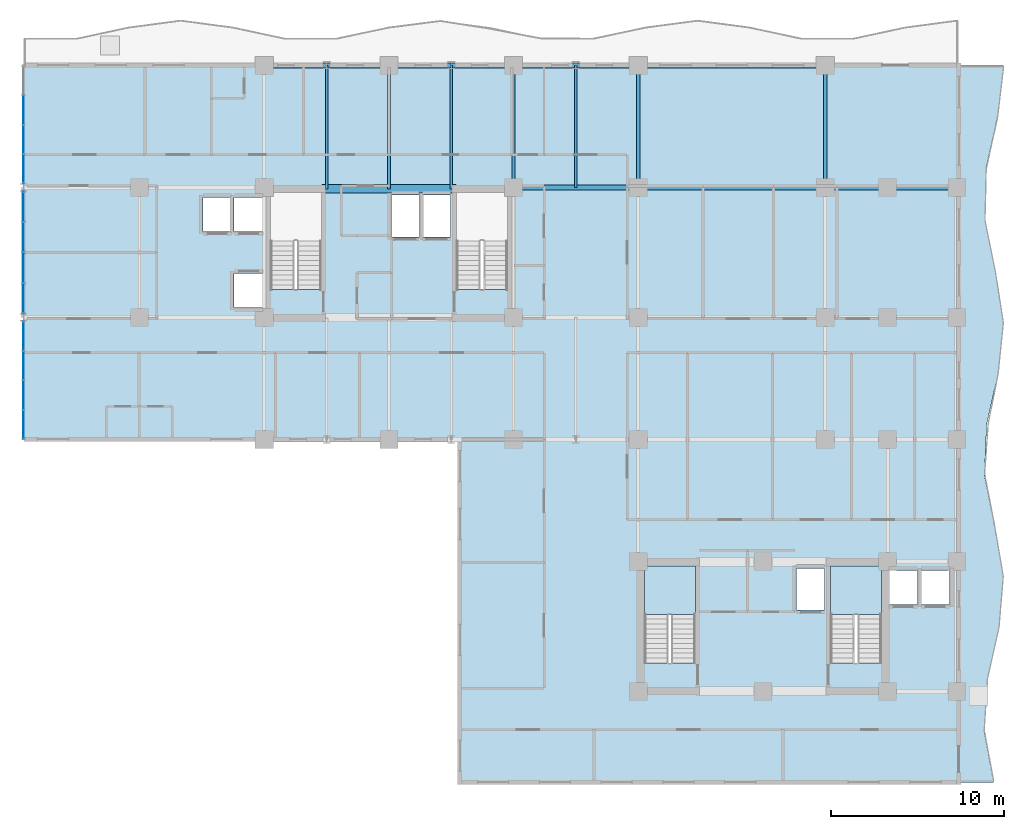
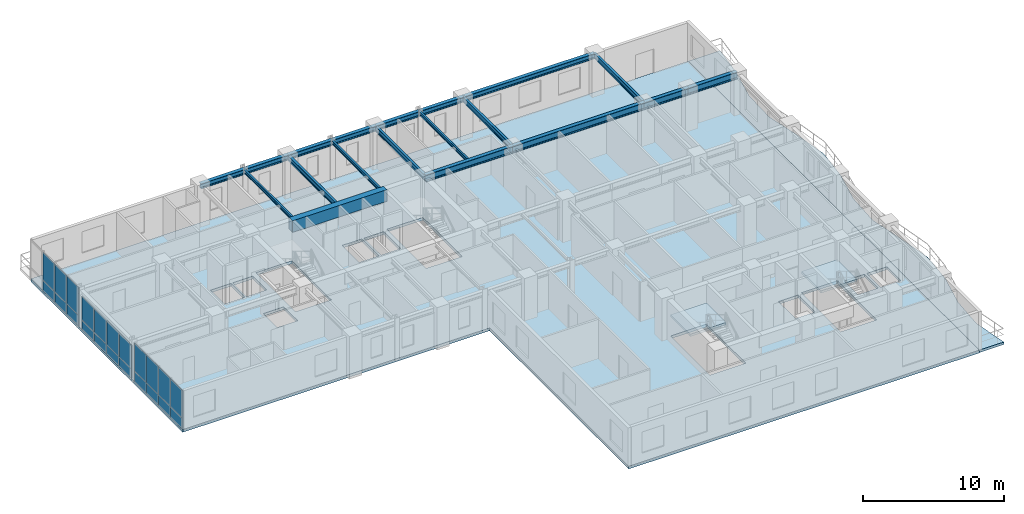
# One storey, part 9 of 19: 22 plates, 19 beams, 4 slabs, 5 elements without a shape of their own.
"""IFC4 building model written with IfcOpenShell, lengths in metres."""

from ifc_helpers import new_model, si_unit, direction, frame, origin, origin_2d, place, context, subcontext, project, spatial, polyline, rectangle, i_section, outline, extrude, source, transform, mapped, material, layer, layer_set, material_profile, profile_set, type_object, element, aggregate, save


model = new_model("IFC4")

# Units and contexts
model_context = context("Model", 3, precision=1e-05, world=origin(), true_north=direction((0.0, 1.0)))
body_context = subcontext(model_context, "Body", "Model", "MODEL_VIEW")
ifc_project = project(units=[si_unit("LENGTHUNIT", "METRE"), si_unit("AREAUNIT", "SQUARE_METRE"), si_unit("VOLUMEUNIT", "CUBIC_METRE"), si_unit("PLANEANGLEUNIT", "RADIAN"), si_unit("MASSUNIT", "GRAM", prefix="KILO")], contexts=[model_context])

# Site, building, storey
site_placement = place(None, origin())
site = spatial("IfcSite", under=ifc_project, at=site_placement, CompositionType="ELEMENT")
building_placement = place(site_placement, origin())
building = spatial("IfcBuilding", under=site, at=building_placement, Name="Kaliganga Portal Commons", CompositionType="ELEMENT")
storey_placement = place(building_placement, frame((0.0, 0.0, 184.60009765625)))
storey = spatial("IfcBuildingStorey", under=building, at=storey_placement, Name="L47", CompositionType="ELEMENT", Elevation=184.60009765625)

# Beams
ifc_material_1 = material(Name="Concrete C50/60", Category="concrete")
ifc_material_profile_1 = material_profile(ifc_material_1, rectangle(XDim=0.5, YDim=1.0, at=origin_2d()), Name="RC 500x1000")
ifc_profile_set_1 = profile_set([ifc_material_profile_1], Name="Concrete C50/60")
beam_type_1 = type_object("IfcBeamType", Name="BM-CPL-1000", PredefinedType="LINTEL", material=ifc_profile_set_1)
shared_shape_1 = source(origin(), body_context, "Body", "SweptSolid", [
    extrude(rectangle(XDim=0.5, YDim=1.0, at=origin_2d()), origin(), (0.0, 0.0, 1.0), 7.739990234375),
])
beam_1_placement = place(storey_placement, frame((17.72998046875, 36.074951171875, 2.9599609375), z_axis=(1.0, 0.0, 0.0), x_axis=(0.0, 1.0, 0.0)))
element("IfcBeam", 1, at=beam_1_placement, inside=storey, type_object=beam_type_1, Name="BM CPL COREA L47 N", PredefinedType="LINTEL", context=body_context, shape_type="MappedRepresentation", body=[
    mapped(shared_shape_1, transform((0.0, 0.0, 0.0), x_axis=(1.0, 0.0, 0.0), y_axis=(0.0, 1.0, 0.0), z_axis=(0.0, 0.0, 1.0), scale=1.0)),
])
ifc_material_2 = material(Name="Structural steel S355J2", Category="steel")
ifc_material_profile_2 = material_profile(ifc_material_2, i_section(OverallWidth=0.300048828125, OverallDepth=0.449951171875, WebThickness=0.013916015625, FlangeThickness=0.02587890625, FilletRadius=0.027099609375, at=origin_2d()), Name="HE 450 B")
ifc_profile_set_2 = profile_set([ifc_material_profile_2], Name="Structural steel S355J2 wide-flange")
beam_type_2 = type_object("IfcBeamType", Name="BM-SPAND-450", PredefinedType="SPANDREL", material=ifc_profile_set_2)
shared_shape_2 = source(origin(), body_context, "Body", "SweptSolid", [
    extrude(i_section(OverallWidth=0.300048828125, OverallDepth=0.449951171875, WebThickness=0.013916015625, FlangeThickness=0.02587890625, FilletRadius=0.027099609375, at=origin_2d()), origin(), (0.0, 0.0, 1.0), 3.60009765625),
])
for number, where, z_axis, x_axis, name in (
    (2, (14.39990234375, 43.199951171875, 3.23486328125), (1.0, 0.0, 0.0), (0.0, 1.0, 0.0), "BM SP L47 AN 1"),
    (3, (18.0, 43.199951171875, 3.23486328125), (1.0, 0.0, 0.0), (0.0, 1.0, 0.0), "BM SP L47 AN 2"),
    (4, (25.199951171875, 43.199951171875, 3.23486328125), (1.0, 0.0, 0.0), (0.0, 1.0, 0.0), "BM SP L47 AN 4"),
    (5, (32.39990234375, 43.199951171875, 3.23486328125), (1.0, 0.0, 0.0), (0.0, 1.0, 0.0), "BM SP L47 AN 6"),
):
    element("IfcBeam", number, at=place(storey_placement, frame(where, z_axis=z_axis, x_axis=x_axis)), inside=storey, type_object=beam_type_2, Name=name, PredefinedType="SPANDREL", context=body_context, shape_type="MappedRepresentation", body=[
        mapped(shared_shape_2, transform((0.0, 0.0, 0.0), x_axis=(1.0, 0.0, 0.0), y_axis=(0.0, 1.0, 0.0), z_axis=(0.0, 0.0, 1.0), scale=1.0)),
    ])
shared_shape_3 = source(origin(), body_context, "Body", "SweptSolid", [
    extrude(i_section(OverallWidth=0.300048828125, OverallDepth=0.449951171875, WebThickness=0.013916015625, FlangeThickness=0.02587890625, FilletRadius=0.027099609375, at=origin_2d()), origin(), (0.0, 0.0, 1.0), 3.599853515625),
])
for number, where, z_axis, x_axis, name in (
    (6, (21.60009765625, 43.199951171875, 3.23486328125), (1.0, 0.0, 0.0), (0.0, 1.0, 0.0), "BM SP L47 AN 3"),
    (7, (28.800048828125, 43.199951171875, 3.23486328125), (1.0, 0.0, 0.0), (0.0, 1.0, 0.0), "BM SP L47 AN 5"),
):
    element("IfcBeam", number, at=place(storey_placement, frame(where, z_axis=z_axis, x_axis=x_axis)), inside=storey, type_object=beam_type_2, Name=name, PredefinedType="SPANDREL", context=body_context, shape_type="MappedRepresentation", body=[
        mapped(shared_shape_3, transform((0.0, 0.0, 0.0), x_axis=(1.0, 0.0, 0.0), y_axis=(0.0, 1.0, 0.0), z_axis=(0.0, 0.0, 1.0), scale=1.0)),
    ])
shared_shape_4 = source(origin(), body_context, "Body", "SweptSolid", [
    extrude(i_section(OverallWidth=0.300048828125, OverallDepth=0.449951171875, WebThickness=0.013916015625, FlangeThickness=0.02587890625, FilletRadius=0.027099609375, at=origin_2d()), origin(), (0.0, 0.0, 1.0), 10.800048828125),
])
beam_2_placement = place(storey_placement, frame((36.0, 43.199951171875, 3.23486328125), z_axis=(1.0, 0.0, 0.0), x_axis=(0.0, 1.0, 0.0)))
element("IfcBeam", 8, at=beam_2_placement, inside=storey, type_object=beam_type_2, Name="BM SP L47 AN 7", PredefinedType="SPANDREL", context=body_context, shape_type="MappedRepresentation", body=[
    mapped(shared_shape_4, transform((0.0, 0.0, 0.0), x_axis=(1.0, 0.0, 0.0), y_axis=(0.0, 1.0, 0.0), z_axis=(0.0, 0.0, 1.0), scale=1.0)),
])
ifc_material_profile_3 = material_profile(ifc_material_2, i_section(OverallWidth=0.300048828125, OverallDepth=0.60009765625, WebThickness=0.015380859375, FlangeThickness=0.030029296875, FilletRadius=0.027099609375, at=origin_2d()), Name="HE 600 B")
ifc_profile_set_3 = profile_set([ifc_material_profile_3], Name="Structural steel S355J2 wide-flange")
beam_type_3 = type_object("IfcBeamType", Name="BM-GIRD-600", PredefinedType="USERDEFINED", material=ifc_profile_set_3)
shared_shape_5 = source(origin(), body_context, "Body", "SweptSolid", [
    extrude(i_section(OverallWidth=0.300048828125, OverallDepth=0.60009765625, WebThickness=0.015380859375, FlangeThickness=0.030029296875, FilletRadius=0.027099609375, at=origin_2d()), origin(), (0.0, 0.0, 1.0), 7.199951171875),
])
beam_3_placement = place(storey_placement, frame((28.800048828125, 36.14990234375, 3.159912109375), z_axis=(1.0, 0.0, 0.0), x_axis=(0.0, 1.0, 0.0)))
element("IfcBeam", 9, at=beam_3_placement, inside=storey, type_object=beam_type_3, Name="BM G L47 WAE_N 1", ObjectType="GIRDER", PredefinedType="USERDEFINED", context=body_context, shape_type="MappedRepresentation", body=[
    mapped(shared_shape_5, transform((0.0, 0.0, 0.0), x_axis=(1.0, 0.0, 0.0), y_axis=(0.0, 1.0, 0.0), z_axis=(0.0, 0.0, 1.0), scale=1.0)),
])
shared_shape_6 = source(origin(), body_context, "Body", "SweptSolid", [
    extrude(i_section(OverallWidth=0.300048828125, OverallDepth=0.60009765625, WebThickness=0.015380859375, FlangeThickness=0.030029296875, FilletRadius=0.027099609375, at=origin_2d()), origin(), (0.0, 0.0, 1.0), 10.800048828125),
])
beam_4_placement = place(storey_placement, frame((36.0, 36.14990234375, 3.159912109375), z_axis=(1.0, 0.0, 0.0), x_axis=(0.0, 1.0, 0.0)))
element("IfcBeam", 10, at=beam_4_placement, inside=storey, type_object=beam_type_3, Name="BM G L47 WAE_N 2", ObjectType="GIRDER", PredefinedType="USERDEFINED", context=body_context, shape_type="MappedRepresentation", body=[
    mapped(shared_shape_6, transform((0.0, 0.0, 0.0), x_axis=(1.0, 0.0, 0.0), y_axis=(0.0, 1.0, 0.0), z_axis=(0.0, 0.0, 1.0), scale=1.0)),
])
shared_shape_7 = source(origin(), body_context, "Body", "SweptSolid", [
    extrude(i_section(OverallWidth=0.300048828125, OverallDepth=0.60009765625, WebThickness=0.015380859375, FlangeThickness=0.030029296875, FilletRadius=0.027099609375, at=origin_2d()), origin(), (0.0, 0.0, 1.0), 4.0),
])
beam_5_placement = place(storey_placement, frame((50.39990234375, 36.14990234375, 3.159912109375), z_axis=(1.0, 0.0, 0.0), x_axis=(0.0, 1.0, 0.0)))
element("IfcBeam", 11, at=beam_5_placement, inside=storey, type_object=beam_type_3, Name="BM G L47 BKE362 2", ObjectType="GIRDER", PredefinedType="USERDEFINED", context=body_context, shape_type="MappedRepresentation", body=[
    mapped(shared_shape_7, transform((0.0, 0.0, 0.0), x_axis=(1.0, 0.0, 0.0), y_axis=(0.0, 1.0, 0.0), z_axis=(0.0, 0.0, 1.0), scale=1.0)),
])
shared_shape_8 = source(origin(), body_context, "Body", "SweptSolid", [
    extrude(i_section(OverallWidth=0.300048828125, OverallDepth=0.60009765625, WebThickness=0.015380859375, FlangeThickness=0.030029296875, FilletRadius=0.027099609375, at=origin_2d()), origin(), (0.0, 0.0, 1.0), 3.599853515625),
])
beam_6_placement = place(storey_placement, frame((46.800048828125, 36.14990234375, 3.159912109375), z_axis=(1.0, 0.0, 0.0), x_axis=(0.0, 1.0, 0.0)))
element("IfcBeam", 12, at=beam_6_placement, inside=storey, type_object=beam_type_3, Name="BM G L47 BKE362 1", ObjectType="GIRDER", PredefinedType="USERDEFINED", context=body_context, shape_type="MappedRepresentation", body=[
    mapped(shared_shape_8, transform((0.0, 0.0, 0.0), x_axis=(1.0, 0.0, 0.0), y_axis=(0.0, 1.0, 0.0), z_axis=(0.0, 0.0, 1.0), scale=1.0)),
])
ifc_material_profile_4 = material_profile(ifc_material_2, i_section(OverallWidth=0.18994140625, OverallDepth=0.449951171875, WebThickness=0.009521484375, FlangeThickness=0.0146484375, FilletRadius=0.02099609375, at=origin_2d()), Name="IPE 450")
ifc_profile_set_4 = profile_set([ifc_material_profile_4], Name="Structural steel S355J2 wide-flange")
beam_type_4 = type_object("IfcBeamType", Name="BM-FLR-450", PredefinedType="BEAM", material=ifc_profile_set_4)
shared_shape_9 = source(origin(), body_context, "Body", "SweptSolid", [
    extrude(i_section(OverallWidth=0.18994140625, OverallDepth=0.449951171875, WebThickness=0.009521484375, FlangeThickness=0.0146484375, FilletRadius=0.02099609375, at=origin_2d()), origin(), (0.0, 0.0, 1.0), 7.050048828125),
])
for number, where, z_axis, x_axis, name in (
    (13, (28.800048828125, 36.14990234375, 3.23486328125), (0.0, 1.0, 0.0), (-1.0, 0.0, 0.0), "BM G L47 AN288"),
    (14, (36.0, 36.14990234375, 3.23486328125), (0.0, 1.0, 0.0), (-1.0, 0.0, 0.0), "BM G L47 AN360"),
    (15, (46.800048828125, 36.14990234375, 3.23486328125), (0.0, 1.0, 0.0), (-1.0, 0.0, 0.0), "BM G L47 AN468"),
):
    element("IfcBeam", number, at=place(storey_placement, frame(where, z_axis=z_axis, x_axis=x_axis)), inside=storey, type_object=beam_type_4, Name=name, PredefinedType="BEAM", context=body_context, shape_type="MappedRepresentation", body=[
        mapped(shared_shape_9, transform((0.0, 0.0, 0.0), x_axis=(1.0, 0.0, 0.0), y_axis=(0.0, 1.0, 0.0), z_axis=(0.0, 0.0, 1.0), scale=1.0)),
    ])
ifc_material_profile_5 = material_profile(ifc_material_2, i_section(OverallWidth=0.14990234375, OverallDepth=0.300048828125, WebThickness=0.007080078125, FlangeThickness=0.0107421875, FilletRadius=0.014892578125, at=origin_2d()), Name="IPE 300")
ifc_profile_set_5 = profile_set([ifc_material_profile_5], Name="Structural steel S355J2 wide-flange")
beam_type_5 = type_object("IfcBeamType", Name="BM-JST-300", PredefinedType="JOIST", material=ifc_profile_set_5)
shared_shape_10 = source(origin(), body_context, "Body", "SweptSolid", [
    extrude(i_section(OverallWidth=0.14990234375, OverallDepth=0.300048828125, WebThickness=0.007080078125, FlangeThickness=0.0107421875, FilletRadius=0.014892578125, at=origin_2d()), origin(), (0.0, 0.0, 1.0), 7.125),
])
for number, where, z_axis, x_axis, name in (
    (16, (18.0, 36.074951171875, 3.309814453125), (0.0, 1.0, 0.0), (-1.0, 0.0, 0.0), "BM G L47 AN180"),
    (17, (25.199951171875, 36.074951171875, 3.309814453125), (0.0, 1.0, 0.0), (-1.0, 0.0, 0.0), "BM G L47 AN252"),
):
    element("IfcBeam", number, at=place(storey_placement, frame(where, z_axis=z_axis, x_axis=x_axis)), inside=storey, type_object=beam_type_5, Name=name, PredefinedType="JOIST", context=body_context, shape_type="MappedRepresentation", body=[
        mapped(shared_shape_10, transform((0.0, 0.0, 0.0), x_axis=(1.0, 0.0, 0.0), y_axis=(0.0, 1.0, 0.0), z_axis=(0.0, 0.0, 1.0), scale=1.0)),
    ])
shared_shape_11 = source(origin(), body_context, "Body", "SweptSolid", [
    extrude(i_section(OverallWidth=0.18994140625, OverallDepth=0.449951171875, WebThickness=0.009521484375, FlangeThickness=0.0146484375, FilletRadius=0.02099609375, at=origin_2d()), origin(), (0.0, 0.0, 1.0), 7.125),
])
beam_7_placement = place(storey_placement, frame((21.60009765625, 36.074951171875, 3.23486328125), z_axis=(0.0, 1.0, 0.0), x_axis=(-1.0, 0.0, 0.0)))
element("IfcBeam", 18, at=beam_7_placement, inside=storey, type_object=beam_type_4, Name="BM G L47 AN216", PredefinedType="BEAM", context=body_context, shape_type="MappedRepresentation", body=[
    mapped(shared_shape_11, transform((0.0, 0.0, 0.0), x_axis=(1.0, 0.0, 0.0), y_axis=(0.0, 1.0, 0.0), z_axis=(0.0, 0.0, 1.0), scale=1.0)),
])
shared_shape_12 = source(origin(), body_context, "Body", "SweptSolid", [
    extrude(i_section(OverallWidth=0.14990234375, OverallDepth=0.300048828125, WebThickness=0.007080078125, FlangeThickness=0.0107421875, FilletRadius=0.014892578125, at=origin_2d()), origin(), (0.0, 0.0, 1.0), 7.050048828125),
])
beam_8_placement = place(storey_placement, frame((32.39990234375, 36.14990234375, 3.309814453125), z_axis=(0.0, 1.0, 0.0), x_axis=(-1.0, 0.0, 0.0)))
element("IfcBeam", 19, at=beam_8_placement, inside=storey, type_object=beam_type_5, Name="BM G L47 AN324", PredefinedType="JOIST", context=body_context, shape_type="MappedRepresentation", body=[
    mapped(shared_shape_12, transform((0.0, 0.0, 0.0), x_axis=(1.0, 0.0, 0.0), y_axis=(0.0, 1.0, 0.0), z_axis=(0.0, 0.0, 1.0), scale=1.0)),
])

# Slab
ifc_material_3 = material(Name="Concrete C40/50", Category="concrete")
ifc_layer_1 = layer(ifc_material_3, 0.2099609375)
ifc_layer_set_1 = layer_set([ifc_layer_1], Name="Concrete C40/50")
slab_type_1 = type_object("IfcSlabType", Name="SLB-BALC-210", PredefinedType="FLOOR", material=ifc_layer_set_1)
slab_1_placement = place(storey_placement, frame((0.0, 0.0, -0.210205078125)))
element("IfcSlab", 20, at=slab_1_placement, inside=storey, type_object=slab_type_1, Name="Scalloped Tree-Planter Balcony Slab L47 balc_east", PredefinedType="FLOOR", context=body_context, shape_type="SweptSolid", body=[
    extrude(outline(polyline([(54.5, 1.800048828125), (56.521484375, 1.800048828125), (55.974609375, 4.757080078125), (56.164794921875, 7.71435546875), (56.835693359375, 10.67138671875), (57.0830078125, 13.628662109375), (56.5732421875, 16.585693359375), (55.99365234375, 19.54296875), (56.12548828125, 22.5), (56.791015625, 25.45703125), (57.09326171875, 28.414306640625), (56.624755859375, 31.371337890625), (56.01708984375, 34.32861328125), (56.089111328125, 37.28564453125), (56.744140625, 40.242919921875), (57.098876953125, 43.199951171875), (54.5, 43.199951171875), (54.5, 1.800048828125)])), origin(), (0.0, 0.0, 1.0), 0.210205078125),
])

# Stair, slab
stair_type = type_object("IfcStairType", Name="ST-CORE-DOGLEG", PredefinedType="HALF_TURN_STAIR", material=ifc_material_3)
stair_1_placement = place(storey_placement, origin())
stair_1 = element("IfcStair", 21, at=stair_1_placement, inside=storey, type_object=stair_type, Name="L47 Protected Exit Stair ST-B1", PredefinedType="HALF_TURN_STAIR")
ifc_layer_2 = layer(ifc_material_3, 0.199951171875)
ifc_layer_set_2 = layer_set([ifc_layer_2], Name="Concrete C40/50")
slab_type_2 = type_object("IfcSlabType", Name="SLB-STAIR-LND", PredefinedType="LANDING", material=ifc_layer_set_2)
slab_2_placement = place(storey_placement, frame((0.0, 0.0, 1.64990234375)))
slab_2 = element("IfcSlab", 22, at=slab_2_placement, type_object=slab_type_2, Name="ST-B1 landing 1", PredefinedType="LANDING", context=body_context, shape_type="SweptSolid", body=[
    extrude(outline(polyline([(39.300048828125, 11.5), (39.300048828125, 14.300048828125), (36.35009765625, 14.300048828125), (36.35009765625, 11.5), (39.300048828125, 11.5)])), origin(), (0.0, 0.0, 1.0), 0.199951171875),
])
aggregate(stair_1, [slab_2])

stair_2_placement = place(storey_placement, origin())
stair_2 = element("IfcStair", 23, at=stair_2_placement, inside=storey, type_object=stair_type, Name="L47 Protected Exit Stair ST-B2", PredefinedType="HALF_TURN_STAIR")
slab_3_placement = place(storey_placement, frame((0.0, 0.0, 1.64990234375)))
slab_3 = element("IfcSlab", 24, at=slab_3_placement, type_object=slab_type_2, Name="ST-B2 landing 1", PredefinedType="LANDING", context=body_context, shape_type="SweptSolid", body=[
    extrude(outline(polyline([(50.050048828125, 11.5), (50.050048828125, 14.300048828125), (47.10009765625, 14.300048828125), (47.10009765625, 11.5), (50.050048828125, 11.5)])), origin(), (0.0, 0.0, 1.0), 0.199951171875),
])
aggregate(stair_2, [slab_3])

# Slab
ifc_layer_3 = layer(ifc_material_3, 0.239990234375)
ifc_layer_set_3 = layer_set([ifc_layer_3], Name="Concrete C40/50")
slab_type_3 = type_object("IfcSlabType", Name="SLB-TWR-240", PredefinedType="FLOOR", material=ifc_layer_set_3)
slab_4_placement = place(storey_placement, frame((0.0, 0.0, -0.239990234375)))
element("IfcSlab", 25, at=slab_4_placement, inside=storey, type_object=slab_type_3, Name="Structural Floor Slab L47", PredefinedType="FLOOR", context=body_context, shape_type="SweptSolid", body=[
    extrude(outline(polyline([(25.699951171875, 1.800048828125), (54.5, 1.800048828125), (54.5, 43.199951171875), (0.5, 43.199951171875), (0.5, 21.60009765625), (25.699951171875, 21.60009765625), (25.699951171875, 1.800048828125)]), holes=[polyline([(14.75, 30.25390625), (14.75, 35.85009765625), (17.699951171875, 35.85009765625), (17.699951171875, 30.25390625), (14.75, 30.25390625)]), polyline([(25.5, 30.25390625), (25.5, 35.85009765625), (28.449951171875, 35.85009765625), (28.449951171875, 30.25390625), (25.5, 30.25390625)]), polyline([(36.35009765625, 8.7041015625), (36.35009765625, 14.300048828125), (39.300048828125, 14.300048828125), (39.300048828125, 8.7041015625), (36.35009765625, 8.7041015625)]), polyline([(47.10009765625, 8.7041015625), (47.10009765625, 14.300048828125), (50.050048828125, 14.300048828125), (50.050048828125, 8.7041015625), (47.10009765625, 8.7041015625)]), polyline([(12.6650390625, 33.614990234375), (12.6650390625, 35.5849609375), (14.3349609375, 35.5849609375), (14.3349609375, 33.614990234375), (12.6650390625, 33.614990234375)]), polyline([(12.6650390625, 29.215087890625), (12.6650390625, 31.18505859375), (14.3349609375, 31.18505859375), (14.3349609375, 29.215087890625), (12.6650390625, 29.215087890625)]), polyline([(10.864990234375, 33.614990234375), (10.864990234375, 35.5849609375), (12.534912109375, 35.5849609375), (12.534912109375, 33.614990234375), (10.864990234375, 33.614990234375)]), polyline([(21.739990234375, 33.2900390625), (21.739990234375, 35.7099609375), (23.360107421875, 35.7099609375), (23.360107421875, 33.2900390625), (21.739990234375, 33.2900390625)]), polyline([(23.5400390625, 33.2900390625), (23.5400390625, 35.7099609375), (25.159912109375, 35.7099609375), (25.159912109375, 33.2900390625), (23.5400390625, 33.2900390625)]), polyline([(50.465087890625, 12.06494140625), (50.465087890625, 14.034912109375), (52.135009765625, 14.034912109375), (52.135009765625, 12.06494140625), (50.465087890625, 12.06494140625)]), polyline([(52.31494140625, 12.06494140625), (52.31494140625, 14.034912109375), (53.985107421875, 14.034912109375), (53.985107421875, 12.06494140625), (52.31494140625, 12.06494140625)]), polyline([(45.139892578125, 11.739990234375), (45.139892578125, 14.159912109375), (46.760009765625, 14.159912109375), (46.760009765625, 11.739990234375), (45.139892578125, 11.739990234375)])]), origin(), (0.0, 0.0, 1.0), 0.239990234375),
])

# Curtain wall, plates
ifc_material_4 = material(Name="Anodized Aluminium and Laminated Low-E Glass", Category="aluminium")
ifc_layer_4 = layer(ifc_material_4, 0.199951171875)
ifc_layer_set_4 = layer_set([ifc_layer_4], Name="Anodized Aluminium and Laminated Low-E Glass")
curtain_wall_type = type_object("IfcCurtainWallType", Name="CW-SYS-02", PredefinedType="NOTDEFINED", material=ifc_layer_set_4)
curtain_wall_1_placement = place(storey_placement, origin())
curtain_wall_1 = element("IfcCurtainWall", 26, at=curtain_wall_1_placement, inside=storey, type_object=curtain_wall_type, Name="CW 02 L47 P1E03S1", PredefinedType="NOTDEFINED")
ifc_material_5 = material(Name="Insulated Dark Spandrel Panel", Category="metal")
ifc_layer_5 = layer(ifc_material_5, 0.044921875)
ifc_layer_set_5 = layer_set([ifc_layer_5], Name="Insulated Dark Spandrel Panel")
plate_type_1 = type_object("IfcPlateType", Name="PLT-SPN-45", PredefinedType="SHEET", material=ifc_layer_set_5)
shared_shape_13 = source(origin(), body_context, "Body", "SweptSolid", [
    extrude(rectangle(XDim=1.67041015625, YDim=0.044921875, at=origin_2d()), origin(), (0.0, 0.0, 1.0), 0.929931640625),
])
plate_1_placement = place(storey_placement, frame((0.5, 40.63427734375, 0.009765625), z_axis=(0.0, 0.0, 1.0), x_axis=(0.0, -1.0, 0.0)))
plate_1 = element("IfcPlate", 27, at=plate_1_placement, type_object=plate_type_1, Name="CW:02:L47:P1E03S1 Spandrel 01", PredefinedType="SHEET", context=body_context, shape_type="MappedRepresentation", body=[
    mapped(shared_shape_13, transform((0.0, 0.0, 0.0), x_axis=(1.0, 0.0, 0.0), y_axis=(0.0, 1.0, 0.0), z_axis=(0.0, 0.0, 1.0), scale=1.0)),
])
plate_2_placement = place(storey_placement, frame((0.5, 38.923583984375, 0.009765625), z_axis=(0.0, 0.0, 1.0), x_axis=(0.0, -1.0, 0.0)))
plate_2 = element("IfcPlate", 28, at=plate_2_placement, type_object=plate_type_1, Name="CW:02:L47:P1E03S1 Spandrel 02", PredefinedType="SHEET", context=body_context, shape_type="MappedRepresentation", body=[
    mapped(shared_shape_13, transform((0.0, 0.0, 0.0), x_axis=(1.0, 0.0, 0.0), y_axis=(0.0, 1.0, 0.0), z_axis=(0.0, 0.0, 1.0), scale=1.0)),
])
plate_3_placement = place(storey_placement, frame((0.5, 37.213134765625, 0.009765625), z_axis=(0.0, 0.0, 1.0), x_axis=(0.0, -1.0, 0.0)))
plate_3 = element("IfcPlate", 29, at=plate_3_placement, type_object=plate_type_1, Name="CW:02:L47:P1E03S1 Spandrel 03", PredefinedType="SHEET", context=body_context, shape_type="MappedRepresentation", body=[
    mapped(shared_shape_13, transform((0.0, 0.0, 0.0), x_axis=(1.0, 0.0, 0.0), y_axis=(0.0, 1.0, 0.0), z_axis=(0.0, 0.0, 1.0), scale=1.0)),
])

curtain_wall_2_placement = place(storey_placement, origin())
curtain_wall_2 = element("IfcCurtainWall", 30, at=curtain_wall_2_placement, inside=storey, type_object=curtain_wall_type, Name="CW 02 L47 P1E03S3", PredefinedType="NOTDEFINED")
plate_4_placement = place(storey_placement, frame((0.5, 27.5869140625, 0.009765625), z_axis=(0.0, 0.0, 1.0), x_axis=(0.0, -1.0, 0.0)))
plate_4 = element("IfcPlate", 31, at=plate_4_placement, type_object=plate_type_1, Name="CW:02:L47:P1E03S3 Spandrel 00", PredefinedType="SHEET", context=body_context, shape_type="MappedRepresentation", body=[
    mapped(shared_shape_13, transform((0.0, 0.0, 0.0), x_axis=(1.0, 0.0, 0.0), y_axis=(0.0, 1.0, 0.0), z_axis=(0.0, 0.0, 1.0), scale=1.0)),
])
plate_5_placement = place(storey_placement, frame((0.5, 25.876220703125, 0.009765625), z_axis=(0.0, 0.0, 1.0), x_axis=(0.0, -1.0, 0.0)))
plate_5 = element("IfcPlate", 32, at=plate_5_placement, type_object=plate_type_1, Name="CW:02:L47:P1E03S3 Spandrel 01", PredefinedType="SHEET", context=body_context, shape_type="MappedRepresentation", body=[
    mapped(shared_shape_13, transform((0.0, 0.0, 0.0), x_axis=(1.0, 0.0, 0.0), y_axis=(0.0, 1.0, 0.0), z_axis=(0.0, 0.0, 1.0), scale=1.0)),
])
plate_6_placement = place(storey_placement, frame((0.5, 24.165771484375, 0.009765625), z_axis=(0.0, 0.0, 1.0), x_axis=(0.0, -1.0, 0.0)))
plate_6 = element("IfcPlate", 33, at=plate_6_placement, type_object=plate_type_1, Name="CW:02:L47:P1E03S3 Spandrel 02", PredefinedType="SHEET", context=body_context, shape_type="MappedRepresentation", body=[
    mapped(shared_shape_13, transform((0.0, 0.0, 0.0), x_axis=(1.0, 0.0, 0.0), y_axis=(0.0, 1.0, 0.0), z_axis=(0.0, 0.0, 1.0), scale=1.0)),
])
plate_7_placement = place(storey_placement, frame((0.5, 22.455078125, 0.009765625), z_axis=(0.0, 0.0, 1.0), x_axis=(0.0, -1.0, 0.0)))
plate_7 = element("IfcPlate", 34, at=plate_7_placement, type_object=plate_type_1, Name="CW:02:L47:P1E03S3 Spandrel 03", PredefinedType="SHEET", context=body_context, shape_type="MappedRepresentation", body=[
    mapped(shared_shape_13, transform((0.0, 0.0, 0.0), x_axis=(1.0, 0.0, 0.0), y_axis=(0.0, 1.0, 0.0), z_axis=(0.0, 0.0, 1.0), scale=1.0)),
])

# Plate
ifc_material_6 = material(Name="Dark Solar-Control Laminated Low-E IGU", Category="glass")
ifc_layer_6 = layer(ifc_material_6, 0.028076171875)
ifc_layer_set_6 = layer_set([ifc_layer_6], Name="Dark Solar-Control Laminated Low-E IGU")
plate_type_2 = type_object("IfcPlateType", Name="PLT-GLZ-28", PredefinedType="CURTAIN_PANEL", material=ifc_layer_set_6)
shared_shape_14 = source(origin(), body_context, "Body", "SweptSolid", [
    extrude(rectangle(XDim=1.67041015625, YDim=0.028076171875, at=origin_2d()), origin(), (0.0, 0.0, 1.0), 2.409912109375),
])
plate_8_placement = place(storey_placement, frame((0.5, 40.63427734375, 0.9599609375), z_axis=(0.0, 0.0, 1.0), x_axis=(0.0, -1.0, 0.0)))
plate_8 = element("IfcPlate", 35, at=plate_8_placement, type_object=plate_type_2, Name="CW:02:L47:P1E03S1 Vision IGU 01", PredefinedType="CURTAIN_PANEL", context=body_context, shape_type="MappedRepresentation", body=[
    mapped(shared_shape_14, transform((0.0, 0.0, 0.0), x_axis=(1.0, 0.0, 0.0), y_axis=(0.0, 1.0, 0.0), z_axis=(0.0, 0.0, 1.0), scale=1.0)),
])

plate_9_placement = place(storey_placement, frame((0.5, 38.923583984375, 0.9599609375), z_axis=(0.0, 0.0, 1.0), x_axis=(0.0, -1.0, 0.0)))
plate_9 = element("IfcPlate", 36, at=plate_9_placement, type_object=plate_type_2, Name="CW:02:L47:P1E03S1 Vision IGU 02", PredefinedType="CURTAIN_PANEL", context=body_context, shape_type="MappedRepresentation", body=[
    mapped(shared_shape_14, transform((0.0, 0.0, 0.0), x_axis=(1.0, 0.0, 0.0), y_axis=(0.0, 1.0, 0.0), z_axis=(0.0, 0.0, 1.0), scale=1.0)),
])

plate_10_placement = place(storey_placement, frame((0.5, 37.213134765625, 0.9599609375), z_axis=(0.0, 0.0, 1.0), x_axis=(0.0, -1.0, 0.0)))
plate_10 = element("IfcPlate", 37, at=plate_10_placement, type_object=plate_type_2, Name="CW:02:L47:P1E03S1 Vision IGU 03", PredefinedType="CURTAIN_PANEL", context=body_context, shape_type="MappedRepresentation", body=[
    mapped(shared_shape_14, transform((0.0, 0.0, 0.0), x_axis=(1.0, 0.0, 0.0), y_axis=(0.0, 1.0, 0.0), z_axis=(0.0, 0.0, 1.0), scale=1.0)),
])

aggregate(curtain_wall_1, [plate_1, plate_8, plate_2, plate_9, plate_3, plate_10])

plate_11_placement = place(storey_placement, frame((0.5, 27.5869140625, 0.9599609375), z_axis=(0.0, 0.0, 1.0), x_axis=(0.0, -1.0, 0.0)))
plate_11 = element("IfcPlate", 38, at=plate_11_placement, type_object=plate_type_2, Name="CW:02:L47:P1E03S3 Vision IGU 00", PredefinedType="CURTAIN_PANEL", context=body_context, shape_type="MappedRepresentation", body=[
    mapped(shared_shape_14, transform((0.0, 0.0, 0.0), x_axis=(1.0, 0.0, 0.0), y_axis=(0.0, 1.0, 0.0), z_axis=(0.0, 0.0, 1.0), scale=1.0)),
])

plate_12_placement = place(storey_placement, frame((0.5, 25.876220703125, 0.9599609375), z_axis=(0.0, 0.0, 1.0), x_axis=(0.0, -1.0, 0.0)))
plate_12 = element("IfcPlate", 39, at=plate_12_placement, type_object=plate_type_2, Name="CW:02:L47:P1E03S3 Vision IGU 01", PredefinedType="CURTAIN_PANEL", context=body_context, shape_type="MappedRepresentation", body=[
    mapped(shared_shape_14, transform((0.0, 0.0, 0.0), x_axis=(1.0, 0.0, 0.0), y_axis=(0.0, 1.0, 0.0), z_axis=(0.0, 0.0, 1.0), scale=1.0)),
])

plate_13_placement = place(storey_placement, frame((0.5, 24.165771484375, 0.9599609375), z_axis=(0.0, 0.0, 1.0), x_axis=(0.0, -1.0, 0.0)))
plate_13 = element("IfcPlate", 40, at=plate_13_placement, type_object=plate_type_2, Name="CW:02:L47:P1E03S3 Vision IGU 02", PredefinedType="CURTAIN_PANEL", context=body_context, shape_type="MappedRepresentation", body=[
    mapped(shared_shape_14, transform((0.0, 0.0, 0.0), x_axis=(1.0, 0.0, 0.0), y_axis=(0.0, 1.0, 0.0), z_axis=(0.0, 0.0, 1.0), scale=1.0)),
])

plate_14_placement = place(storey_placement, frame((0.5, 22.455078125, 0.9599609375), z_axis=(0.0, 0.0, 1.0), x_axis=(0.0, -1.0, 0.0)))
plate_14 = element("IfcPlate", 41, at=plate_14_placement, type_object=plate_type_2, Name="CW:02:L47:P1E03S3 Vision IGU 03", PredefinedType="CURTAIN_PANEL", context=body_context, shape_type="MappedRepresentation", body=[
    mapped(shared_shape_14, transform((0.0, 0.0, 0.0), x_axis=(1.0, 0.0, 0.0), y_axis=(0.0, 1.0, 0.0), z_axis=(0.0, 0.0, 1.0), scale=1.0)),
])

aggregate(curtain_wall_2, [plate_4, plate_11, plate_5, plate_12, plate_6, plate_13, plate_7, plate_14])

# Curtain wall, plates
curtain_wall_3_placement = place(storey_placement, origin())
curtain_wall_3 = element("IfcCurtainWall", 42, at=curtain_wall_3_placement, inside=storey, type_object=curtain_wall_type, Name="CW 02 L47 P1E03S2", PredefinedType="NOTDEFINED")
shared_shape_15 = source(origin(), body_context, "Body", "SweptSolid", [
    extrude(rectangle(XDim=1.73095703125, YDim=0.044921875, at=origin_2d()), origin(), (0.0, 0.0, 1.0), 0.82275390625),
])
plate_15_placement = place(storey_placement, frame((0.5, 35.056396484375, 0.010009765625), z_axis=(0.0, 0.0, 1.0), x_axis=(0.0, -1.0, 0.0)))
plate_15 = element("IfcPlate", 43, at=plate_15_placement, type_object=plate_type_1, Name="CW:02:L47:P1E03S2 Spandrel 00", PredefinedType="SHEET", context=body_context, shape_type="MappedRepresentation", body=[
    mapped(shared_shape_15, transform((0.0, 0.0, 0.0), x_axis=(1.0, 0.0, 0.0), y_axis=(0.0, 1.0, 0.0), z_axis=(0.0, 0.0, 1.0), scale=1.0)),
])
plate_16_placement = place(storey_placement, frame((0.5, 33.285400390625, 0.010009765625), z_axis=(0.0, 0.0, 1.0), x_axis=(0.0, -1.0, 0.0)))
plate_16 = element("IfcPlate", 44, at=plate_16_placement, type_object=plate_type_1, Name="CW:02:L47:P1E03S2 Spandrel 01", PredefinedType="SHEET", context=body_context, shape_type="MappedRepresentation", body=[
    mapped(shared_shape_15, transform((0.0, 0.0, 0.0), x_axis=(1.0, 0.0, 0.0), y_axis=(0.0, 1.0, 0.0), z_axis=(0.0, 0.0, 1.0), scale=1.0)),
])
plate_17_placement = place(storey_placement, frame((0.5, 31.514404296875, 0.010009765625), z_axis=(0.0, 0.0, 1.0), x_axis=(0.0, -1.0, 0.0)))
plate_17 = element("IfcPlate", 45, at=plate_17_placement, type_object=plate_type_1, Name="CW:02:L47:P1E03S2 Spandrel 02", PredefinedType="SHEET", context=body_context, shape_type="MappedRepresentation", body=[
    mapped(shared_shape_15, transform((0.0, 0.0, 0.0), x_axis=(1.0, 0.0, 0.0), y_axis=(0.0, 1.0, 0.0), z_axis=(0.0, 0.0, 1.0), scale=1.0)),
])
plate_18_placement = place(storey_placement, frame((0.5, 29.743408203125, 0.010009765625), z_axis=(0.0, 0.0, 1.0), x_axis=(0.0, -1.0, 0.0)))
plate_18 = element("IfcPlate", 46, at=plate_18_placement, type_object=plate_type_1, Name="CW:02:L47:P1E03S2 Spandrel 03", PredefinedType="SHEET", context=body_context, shape_type="MappedRepresentation", body=[
    mapped(shared_shape_15, transform((0.0, 0.0, 0.0), x_axis=(1.0, 0.0, 0.0), y_axis=(0.0, 1.0, 0.0), z_axis=(0.0, 0.0, 1.0), scale=1.0)),
])
shared_shape_16 = source(origin(), body_context, "Body", "SweptSolid", [
    extrude(rectangle(XDim=1.73095703125, YDim=0.028076171875, at=origin_2d()), origin(), (0.0, 0.0, 1.0), 2.067138671875),
])
plate_19_placement = place(storey_placement, frame((0.5, 35.056396484375, 0.8525390625), z_axis=(0.0, 0.0, 1.0), x_axis=(0.0, -1.0, 0.0)))
plate_19 = element("IfcPlate", 47, at=plate_19_placement, type_object=plate_type_2, Name="CW:02:L47:P1E03S2 Vision IGU 00", PredefinedType="CURTAIN_PANEL", context=body_context, shape_type="MappedRepresentation", body=[
    mapped(shared_shape_16, transform((0.0, 0.0, 0.0), x_axis=(1.0, 0.0, 0.0), y_axis=(0.0, 1.0, 0.0), z_axis=(0.0, 0.0, 1.0), scale=1.0)),
])
plate_20_placement = place(storey_placement, frame((0.5, 33.285400390625, 0.8525390625), z_axis=(0.0, 0.0, 1.0), x_axis=(0.0, -1.0, 0.0)))
plate_20 = element("IfcPlate", 48, at=plate_20_placement, type_object=plate_type_2, Name="CW:02:L47:P1E03S2 Vision IGU 01", PredefinedType="CURTAIN_PANEL", context=body_context, shape_type="MappedRepresentation", body=[
    mapped(shared_shape_16, transform((0.0, 0.0, 0.0), x_axis=(1.0, 0.0, 0.0), y_axis=(0.0, 1.0, 0.0), z_axis=(0.0, 0.0, 1.0), scale=1.0)),
])
plate_21_placement = place(storey_placement, frame((0.5, 31.514404296875, 0.8525390625), z_axis=(0.0, 0.0, 1.0), x_axis=(0.0, -1.0, 0.0)))
plate_21 = element("IfcPlate", 49, at=plate_21_placement, type_object=plate_type_2, Name="CW:02:L47:P1E03S2 Vision IGU 02", PredefinedType="CURTAIN_PANEL", context=body_context, shape_type="MappedRepresentation", body=[
    mapped(shared_shape_16, transform((0.0, 0.0, 0.0), x_axis=(1.0, 0.0, 0.0), y_axis=(0.0, 1.0, 0.0), z_axis=(0.0, 0.0, 1.0), scale=1.0)),
])
plate_22_placement = place(storey_placement, frame((0.5, 29.743408203125, 0.8525390625), z_axis=(0.0, 0.0, 1.0), x_axis=(0.0, -1.0, 0.0)))
plate_22 = element("IfcPlate", 50, at=plate_22_placement, type_object=plate_type_2, Name="CW:02:L47:P1E03S2 Vision IGU 03", PredefinedType="CURTAIN_PANEL", context=body_context, shape_type="MappedRepresentation", body=[
    mapped(shared_shape_16, transform((0.0, 0.0, 0.0), x_axis=(1.0, 0.0, 0.0), y_axis=(0.0, 1.0, 0.0), z_axis=(0.0, 0.0, 1.0), scale=1.0)),
])
aggregate(curtain_wall_3, [plate_15, plate_19, plate_16, plate_20, plate_17, plate_21, plate_18, plate_22])

save(model, "model.ifc")
